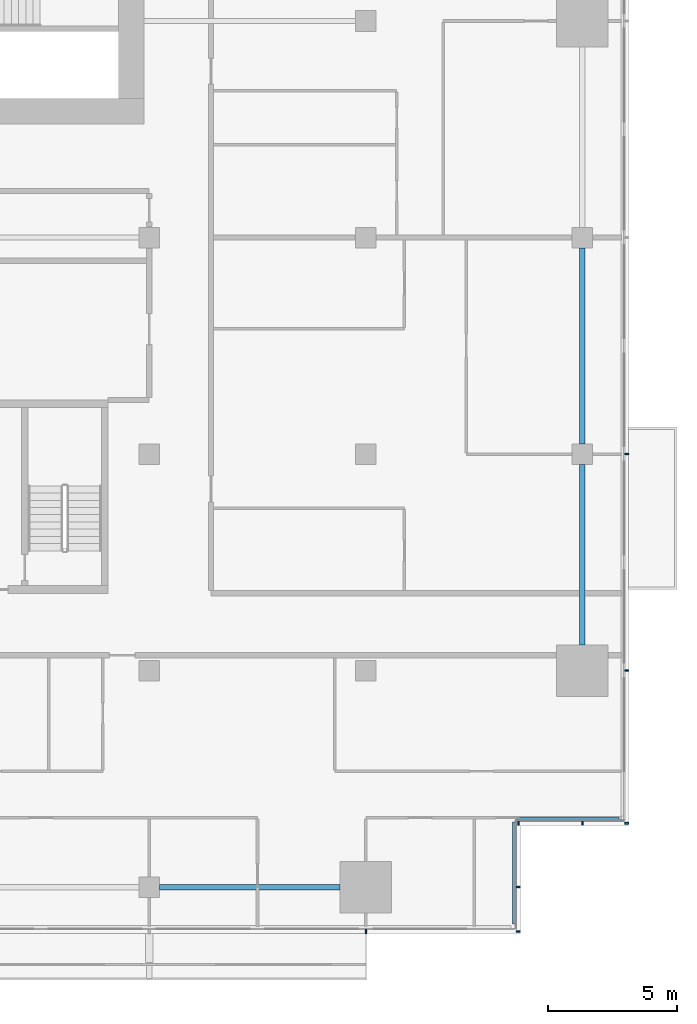
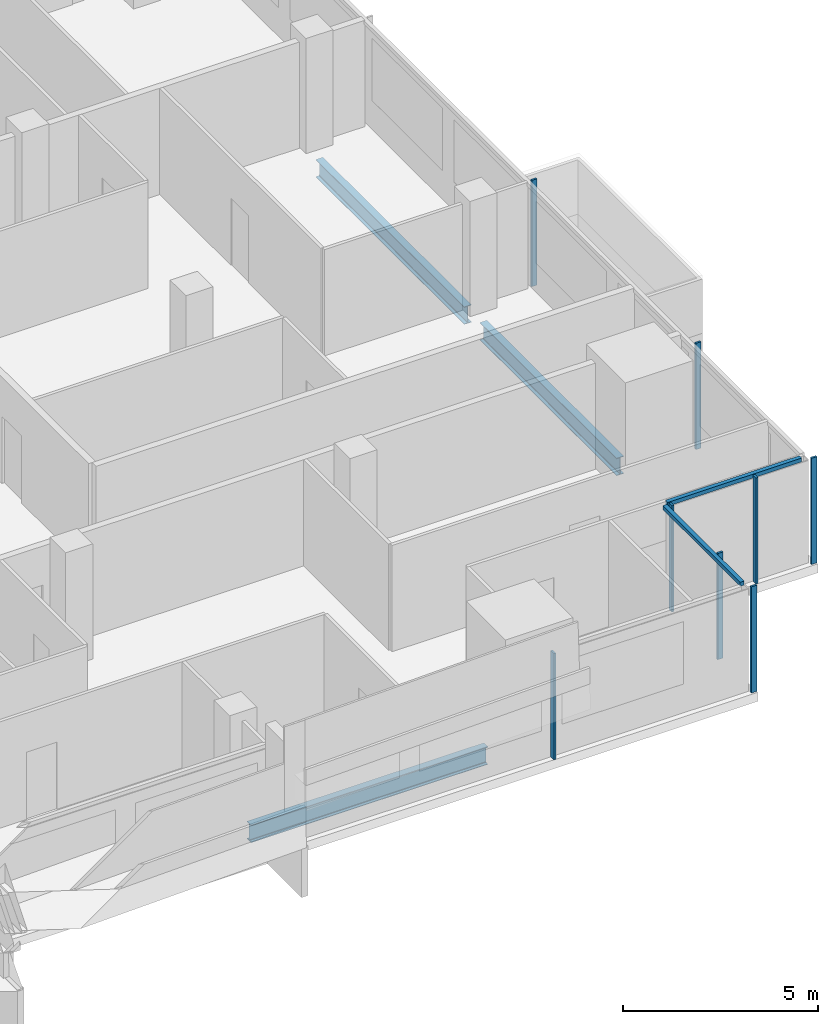
# One storey, part 11 of 27: 10 members, 3 beams, 4 elements without a shape of their own.
"""IFC4 building model written with IfcOpenShell, lengths in metres."""

import ifcopenshell
import ifcopenshell.guid

model = None  # the IFC model being written
_history = None  # IfcOwnerHistory: only IFC2X3 demands one
_inside = {}  # id of a spatial element -> (the spatial element, [elements in it])
_under = {}  # id of a project, library or spatial element -> (it, [spatial elements below it])
_declared = {}  # id of a project -> (the project, [libraries it declares])
_typed = {}  # id of a type object -> (the type object, [elements of that type])
_made_of = {}  # id of a material, layer set ... -> (it, [elements and type objects made of it])


def new_model(schema):
    """Start an empty IFC model of exactly this schema.

    Asked for "IFC4X3", IfcOpenShell would pick the latest addendum, in which some entities
    have other attributes; the version numbers below select the first issue.
    IFC2X3 requires an IfcOwnerHistory on every rooted entity: one is made here for all.
    """
    global model, _history
    if schema == "IFC4X3":
        model = ifcopenshell.file(schema_version=(4, 3, 0, 0))
    else:
        model = ifcopenshell.file(schema=schema)
    _inside.clear()
    _under.clear()
    _declared.clear()
    _typed.clear()
    _made_of.clear()
    _history = None
    if model.schema == "IFC2X3":
        org = make("IfcOrganization", Name="unknown")
        user = make(
            "IfcPersonAndOrganization",
            ThePerson=make("IfcPerson", FamilyName="unknown"),
            TheOrganization=org,
        )
        app = make(
            "IfcApplication",
            ApplicationDeveloper=org,
            Version="unknown",
            ApplicationFullName="unknown",
            ApplicationIdentifier="unknown",
        )
        _history = make(
            "IfcOwnerHistory",
            OwningUser=user,
            OwningApplication=app,
            ChangeAction="ADDED",
            CreationDate=0,
        )
    return model


def make(cls, **values):
    """One entity of the class cls with the attributes given. An attribute that is None is left unset."""
    return model.create_entity(
        cls, **{name: value for name, value in values.items() if value is not None}
    )


def rooted(cls, **values):
    """An entity with a GlobalId (a new one), such as an element, a storey or a relation."""
    return make(cls, GlobalId=ifcopenshell.guid.new(), OwnerHistory=_history, **values)


def si_unit(unit_type, name, prefix=None):
    """IfcSIUnit, for example si_unit("LENGTHUNIT", "METRE", prefix="MILLI")."""
    return make("IfcSIUnit", UnitType=unit_type, Prefix=prefix, Name=name)


def assignment(units):
    """IfcUnitAssignment: the units of a project."""
    return None if units is None else make("IfcUnitAssignment", Units=units)


def point(xyz):
    """IfcCartesianPoint."""
    return None if xyz is None else make("IfcCartesianPoint", Coordinates=xyz)


def direction(xyz):
    """IfcDirection."""
    return None if xyz is None else make("IfcDirection", DirectionRatios=xyz)


def frame(location, z_axis=None, x_axis=None):
    """IfcAxis2Placement3D, a coordinate frame: its origin and axes. An axis left out is left unset."""
    return make(
        "IfcAxis2Placement3D",
        Location=point(location),
        Axis=direction(z_axis),
        RefDirection=direction(x_axis),
    )


def frame_2d(location, x_axis=None):
    """IfcAxis2Placement2D, a coordinate frame in the plane: its origin and x axis."""
    return make(
        "IfcAxis2Placement2D", Location=point(location), RefDirection=direction(x_axis)
    )


def origin():
    """The frame at (0, 0, 0) with its axes left unset."""
    return frame((0.0, 0.0, 0.0))


def origin_2d():
    """The frame at (0, 0) in the plane with its x axis left unset."""
    return frame_2d((0.0, 0.0))


def place(relative_to, where):
    """IfcLocalPlacement: puts the frame where relative to a parent placement (None: the world)."""
    return make(
        "IfcLocalPlacement", PlacementRelTo=relative_to, RelativePlacement=where
    )


def context(
    kind, dimensions, precision=None, world=None, true_north=None, identifier=None
):
    """IfcGeometricRepresentationContext, for example the 3D "Model" context."""
    return make(
        "IfcGeometricRepresentationContext",
        ContextIdentifier=identifier,
        ContextType=kind,
        CoordinateSpaceDimension=dimensions,
        Precision=precision,
        WorldCoordinateSystem=world,
        TrueNorth=true_north,
    )


def subcontext(parent, identifier, kind, view, scale=None):
    """IfcGeometricRepresentationSubContext, for example "Body" below "Model"."""
    return make(
        "IfcGeometricRepresentationSubContext",
        ContextIdentifier=identifier,
        ContextType=kind,
        ParentContext=parent,
        TargetScale=scale,
        TargetView=view,
    )


def project(units=None, contexts=None):
    """IfcProject with its units and contexts."""
    return rooted(
        "IfcProject",
        Name="project",
        RepresentationContexts=contexts,
        UnitsInContext=assignment(units),
    )


def spatial(cls, under=None, at=None, **own):
    """A site, building, storey or space (cls), placed at a placement, below another one or the project."""
    s = rooted(cls, ObjectPlacement=at, **own)
    if under is not None:
        _under.setdefault(under.id(), (under, []))[1].append(s)
    return s


def profile(cls, at=None, kind="AREA", **sizes):
    """A parametric profile (cls). Its sizes go by their IFC names, for example OverallWidth=200.0."""
    return make(cls, ProfileType=kind, Position=at, **sizes)


def rectangle(**sizes):
    """IfcRectangleProfileDef."""
    return profile("IfcRectangleProfileDef", **sizes)


def i_section(**sizes):
    """IfcIShapeProfileDef."""
    return profile("IfcIShapeProfileDef", **sizes)


def extrude(swept, where, along, depth):
    """IfcExtrudedAreaSolid: the profile swept, set in the frame where, extruded along a direction by depth."""
    return make(
        "IfcExtrudedAreaSolid",
        SweptArea=swept,
        Position=where,
        ExtrudedDirection=direction(along),
        Depth=depth,
    )


def shape(context_of_items, identifier, shape_type, items):
    """IfcShapeRepresentation: the items that make up one representation, for example the "Body"."""
    return make(
        "IfcShapeRepresentation",
        ContextOfItems=context_of_items,
        RepresentationIdentifier=identifier,
        RepresentationType=shape_type,
        Items=items,
    )


def material(Name=None, Category=None):
    """IfcMaterial."""
    return make("IfcMaterial", Name=Name, Category=Category)


def material_profile(
    of_material, cross_section, Name=None, Category=None, Priority=None
):
    """IfcMaterialProfile: a cross section and its material."""
    return make(
        "IfcMaterialProfile",
        Name=Name,
        Material=of_material,
        Profile=cross_section,
        Priority=Priority,
        Category=Category,
    )


def profile_set(profiles, Name=None, composite=None):
    """IfcMaterialProfileSet."""
    return make(
        "IfcMaterialProfileSet",
        Name=Name,
        MaterialProfiles=profiles,
        CompositeProfile=composite,
    )


def made_of(thing, what):
    """Note that an element or type object is made of a material, layer set ...; save() writes the relation."""
    if what is not None:
        _made_of.setdefault(what.id(), (what, []))[1].append(thing)
    return thing


def type_object(cls, material=None, **own):
    """A type object (cls), such as IfcWallType, which elements share."""
    return made_of(rooted(cls, **own), material)


def element(
    cls,
    number,
    at=None,
    inside=None,
    cuts=None,
    type_object=None,
    material=None,
    context=None,
    identifier="Body",
    shape_type=None,
    held_by="IfcProductDefinitionShape",
    body=None,
    shapes=None,
    **own,
):
    """One element of the class cls, such as IfcWall. Its Tag is "e" and its number.

    at: its placement. inside: the storey or other place that contains it. cuts: it is an
    opening in that element (IfcRelVoidsElement). A single representation is given by context,
    identifier, shape_type and body (its items); several are given by shapes. held_by: the class
    of the entity that holds the representations. save() writes the other relations.
    """
    e = rooted(cls, Tag="e%d" % number, ObjectPlacement=at, **own)
    if body is not None:
        shapes = [shape(context, identifier, shape_type, body)]
    if shapes is not None:
        e.Representation = make(held_by, Representations=shapes)
    if inside is not None:
        _inside.setdefault(inside.id(), (inside, []))[1].append(e)
    if cuts is not None:
        rooted(
            "IfcRelVoidsElement", RelatingBuildingElement=cuts, RelatedOpeningElement=e
        )
    if type_object is not None:
        _typed.setdefault(type_object.id(), (type_object, []))[1].append(e)
    return made_of(e, material)


def aggregate(whole, parts):
    """IfcRelAggregates: a whole, such as a stair, and the parts it consists of."""
    return rooted("IfcRelAggregates", RelatingObject=whole, RelatedObjects=parts)


def save(model, path):
    """Write the relations noted so far, then the file.

    IfcRelAggregates (storeys below a building ...), IfcRelContainedInSpatialStructure (elements
    in a storey), IfcRelDefinesByType, IfcRelAssociatesMaterial and IfcRelDeclares: one each for
    every whole, place, type object, material and project.
    """
    for whole, parts in _under.values():
        aggregate(whole, parts)
    for where, things in _inside.values():
        rooted(
            "IfcRelContainedInSpatialStructure",
            RelatedElements=things,
            RelatingStructure=where,
        )
    for kind, things in _typed.values():
        rooted("IfcRelDefinesByType", RelatedObjects=things, RelatingType=kind)
    for what, things in _made_of.values():
        rooted("IfcRelAssociatesMaterial", RelatedObjects=things, RelatingMaterial=what)
    for by, libraries in _declared.values():
        rooted("IfcRelDeclares", RelatingContext=by, RelatedDefinitions=libraries)
    model.write(path)


model = new_model("IFC4")

# Units and contexts
model_context = context("Model", 3, precision=1e-05, world=origin(), true_north=direction((0.0, 1.0)))
body_context = subcontext(model_context, "Body", "Model", "MODEL_VIEW")
ifc_project = project(units=[si_unit("LENGTHUNIT", "METRE"), si_unit("AREAUNIT", "SQUARE_METRE"), si_unit("VOLUMEUNIT", "CUBIC_METRE"), si_unit("PLANEANGLEUNIT", "RADIAN"), si_unit("MASSUNIT", "GRAM", prefix="KILO")], contexts=[model_context])

# Site, building, storey
site_placement = place(None, origin())
site = spatial("IfcSite", under=ifc_project, at=site_placement, CompositionType="ELEMENT")
building_placement = place(site_placement, origin())
building = spatial("IfcBuilding", under=site, at=building_placement, Name="Saffron Gate Tower", CompositionType="ELEMENT")
storey_placement = place(building_placement, frame((0.0, 0.0, 124.050048828125)))
storey = spatial("IfcBuildingStorey", under=building, at=storey_placement, Name="L29", CompositionType="ELEMENT", Elevation=124.050048828125)

# Beams
ifc_material_1 = material(Name="Structural steel S355", Category="steel")
ifc_material_profile_1 = material_profile(ifc_material_1, i_section(OverallWidth=0.2099609375, OverallDepth=0.550048828125, WebThickness=0.010986328125, FlangeThickness=0.01708984375, FilletRadius=0.02392578125, at=origin_2d()))
ifc_profile_set_1 = profile_set([ifc_material_profile_1], Name="Structural steel S355")
beam_type = type_object("IfcBeamType", Name="B13 IPE 550", PredefinedType="SPANDREL", material=ifc_profile_set_1)
for number, where, z_axis, x_axis, name in (
    (1, (109.0, 31.800048828125, -0.554931640625), (1.0, 0.0, 0.0), (0.0, 1.0, 0.0), "B13 SPANDREL BEAM"),
    (2, (125.39990234375, 41.199951171875, -0.554931640625), (0.0, 1.0, 0.0), (-1.0, 0.0, 0.0), "B13 SPANDREL BEAM"),
):
    element("IfcBeam", number, at=place(storey_placement, frame(where, z_axis=z_axis, x_axis=x_axis)), inside=storey, type_object=beam_type, Name=name, PredefinedType="SPANDREL", context=body_context, shape_type="SweptSolid", body=[
        extrude(i_section(OverallWidth=0.2099609375, OverallDepth=0.550048828125, WebThickness=0.010986328125, FlangeThickness=0.01708984375, FilletRadius=0.02392578125, at=origin_2d()), origin(), (0.0, 0.0, 1.0), 7.0),
    ])
beam_placement = place(storey_placement, frame((125.39990234375, 49.0, -0.554931640625), z_axis=(0.0, 1.0, 0.0), x_axis=(-1.0, 0.0, 0.0)))
element("IfcBeam", 3, at=beam_placement, inside=storey, type_object=beam_type, Name="B13 SPANDREL BEAM", PredefinedType="SPANDREL", context=body_context, shape_type="SweptSolid", body=[
    extrude(i_section(OverallWidth=0.2099609375, OverallDepth=0.550048828125, WebThickness=0.010986328125, FlangeThickness=0.01708984375, FilletRadius=0.02392578125, at=origin_2d()), origin(), (0.0, 0.0, 1.0), 7.60009765625),
])

# Curtain wall, member
ifc_material_2 = material(Name="Aluminium, bronze anodised", Category="aluminium")
curtain_wall_type_1 = type_object("IfcCurtainWallType", Name="CWS1 curtain wall front facade", PredefinedType="NOTDEFINED", material=ifc_material_2)
curtain_wall_1_placement = place(storey_placement, origin())
curtain_wall_1 = element("IfcCurtainWall", 4, at=curtain_wall_1_placement, inside=storey, type_object=curtain_wall_type_1, Name="CWS1 run 1", PredefinedType="NOTDEFINED")
ifc_material_profile_2 = material_profile(ifc_material_2, rectangle(XDim=0.159912109375, YDim=0.06005859375, at=origin_2d()))
ifc_profile_set_2 = profile_set([ifc_material_profile_2], Name="Aluminium, bronze anodised")
member_type_1 = type_object("IfcMemberType", Name="CWS1 mullion 60x160", PredefinedType="MULLION", material=ifc_profile_set_2)
member_1_placement = place(storey_placement, frame((117.0, 30.080078125, 0.0), z_axis=(0.0, 0.0, 1.0), x_axis=(0.0, 1.0, 0.0)))
member_1 = element("IfcMember", 5, at=member_1_placement, type_object=member_type_1, Name="CWS1 mullion 9", PredefinedType="MULLION", context=body_context, shape_type="SweptSolid", body=[
    extrude(rectangle(XDim=0.159912109375, YDim=0.06005859375, at=origin_2d()), origin(), (0.0, 0.0, 1.0), 3.320068359375),
])
aggregate(curtain_wall_1, [member_1])

# Curtain wall, members
curtain_wall_type_2 = type_object("IfcCurtainWallType", Name="CWS2 curtain wall side facades", PredefinedType="NOTDEFINED", material=ifc_material_2)
curtain_wall_2_placement = place(storey_placement, origin())
curtain_wall_2 = element("IfcCurtainWall", 6, at=curtain_wall_2_placement, inside=storey, type_object=curtain_wall_type_2, Name="CWS2 run 4", PredefinedType="NOTDEFINED")
ifc_material_profile_3 = material_profile(ifc_material_2, rectangle(XDim=0.159912109375, YDim=0.06005859375, at=origin_2d()))
ifc_profile_set_3 = profile_set([ifc_material_profile_3], Name="Aluminium, bronze anodised")
member_type_2 = type_object("IfcMemberType", Name="CWS2 mullion 60x160", PredefinedType="MULLION", material=ifc_profile_set_3)
member_2_placement = place(storey_placement, frame((127.1201171875, 34.280029296875, 0.0), z_axis=(0.0, 0.0, 1.0), x_axis=(-1.0, 0.0, 0.0)))
member_2 = element("IfcMember", 7, at=member_2_placement, type_object=member_type_2, Name="CWS2 mullion 1", PredefinedType="MULLION", context=body_context, shape_type="SweptSolid", body=[
    extrude(rectangle(XDim=0.159912109375, YDim=0.06005859375, at=origin_2d()), origin(), (0.0, 0.0, 1.0), 3.320068359375),
])
member_3_placement = place(storey_placement, frame((127.1201171875, 40.199951171875, 0.0), z_axis=(0.0, 0.0, 1.0), x_axis=(-1.0, 0.0, 0.0)))
member_3 = element("IfcMember", 8, at=member_3_placement, type_object=member_type_2, Name="CWS2 mullion 2", PredefinedType="MULLION", context=body_context, shape_type="SweptSolid", body=[
    extrude(rectangle(XDim=0.159912109375, YDim=0.06005859375, at=origin_2d()), origin(), (0.0, 0.0, 1.0), 3.320068359375),
])
member_4_placement = place(storey_placement, frame((127.1201171875, 48.60009765625, 0.0), z_axis=(0.0, 0.0, 1.0), x_axis=(-1.0, 0.0, 0.0)))
member_4 = element("IfcMember", 9, at=member_4_placement, type_object=member_type_2, Name="CWS2 mullion 3", PredefinedType="MULLION", context=body_context, shape_type="SweptSolid", body=[
    extrude(rectangle(XDim=0.159912109375, YDim=0.06005859375, at=origin_2d()), origin(), (0.0, 0.0, 1.0), 3.320068359375),
])
aggregate(curtain_wall_2, [member_2, member_3, member_4])

# Curtain wall, member
curtain_wall_type_3 = type_object("IfcCurtainWallType", Name="CWS4 curtain wall corner returns", PredefinedType="NOTDEFINED", material=ifc_material_2)
curtain_wall_3_placement = place(storey_placement, origin())
curtain_wall_3 = element("IfcCurtainWall", 10, at=curtain_wall_3_placement, inside=storey, type_object=curtain_wall_type_3, Name="CWS4 run 2", PredefinedType="NOTDEFINED")
ifc_material_profile_4 = material_profile(ifc_material_2, rectangle(XDim=0.1201171875, YDim=0.1201171875, at=origin_2d()))
ifc_profile_set_4 = profile_set([ifc_material_profile_4], Name="Aluminium, bronze anodised")
member_type_3 = type_object("IfcMemberType", Name="CWS4 head transom", PredefinedType="USERDEFINED", material=ifc_profile_set_4)
member_5_placement = place(storey_placement, frame((122.751953125, 30.367919921875, 3.260009765625), z_axis=(0.0, 1.0, 0.0), x_axis=(-1.0, 0.0, 0.0)))
member_5 = element("IfcMember", 11, at=member_5_placement, type_object=member_type_3, Name="CWS4 head transom", ObjectType="TRANSOM", PredefinedType="USERDEFINED", context=body_context, shape_type="SweptSolid", body=[
    extrude(rectangle(XDim=0.1201171875, YDim=0.1201171875, at=origin_2d()), origin(), (0.0, 0.0, 1.0), 3.9599609375),
])

curtain_wall_4_placement = place(storey_placement, origin())
curtain_wall_4 = element("IfcCurtainWall", 12, at=curtain_wall_4_placement, inside=storey, type_object=curtain_wall_type_3, Name="CWS4 run 3", PredefinedType="NOTDEFINED")
member_6_placement = place(storey_placement, frame((122.8720703125, 34.447998046875, 3.260009765625), z_axis=(1.0, 0.0, 0.0), x_axis=(0.0, 1.0, 0.0)))
member_6 = element("IfcMember", 13, at=member_6_placement, type_object=member_type_3, Name="CWS4 head transom", ObjectType="TRANSOM", PredefinedType="USERDEFINED", context=body_context, shape_type="SweptSolid", body=[
    extrude(rectangle(XDim=0.1201171875, YDim=0.1201171875, at=origin_2d()), origin(), (0.0, 0.0, 1.0), 3.9599609375),
])

# Member
ifc_material_profile_5 = material_profile(ifc_material_2, rectangle(XDim=0.159912109375, YDim=0.06005859375, at=origin_2d()))
ifc_profile_set_5 = profile_set([ifc_material_profile_5], Name="Aluminium, bronze anodised")
member_type_4 = type_object("IfcMemberType", Name="CWS4 mullion 60x160", PredefinedType="MULLION", material=ifc_profile_set_5)
member_7_placement = place(storey_placement, frame((122.919921875, 30.080078125, 0.0), z_axis=(0.0, 0.0, 1.0), x_axis=(-1.0, 0.0, 0.0)))
member_7 = element("IfcMember", 14, at=member_7_placement, type_object=member_type_4, Name="CWS4 mullion 1", PredefinedType="MULLION", context=body_context, shape_type="SweptSolid", body=[
    extrude(rectangle(XDim=0.159912109375, YDim=0.06005859375, at=origin_2d()), origin(), (0.0, 0.0, 1.0), 3.320068359375),
])

member_8_placement = place(storey_placement, frame((122.919921875, 31.800048828125, 0.0), z_axis=(0.0, 0.0, 1.0), x_axis=(-1.0, 0.0, 0.0)))
member_8 = element("IfcMember", 15, at=member_8_placement, type_object=member_type_4, Name="CWS4 mullion 2", PredefinedType="MULLION", context=body_context, shape_type="SweptSolid", body=[
    extrude(rectangle(XDim=0.159912109375, YDim=0.06005859375, at=origin_2d()), origin(), (0.0, 0.0, 1.0), 3.320068359375),
])

aggregate(curtain_wall_3, [member_7, member_8, member_5])

member_9_placement = place(storey_placement, frame((122.919921875, 34.280029296875, 0.0), z_axis=(0.0, 0.0, 1.0), x_axis=(0.0, 1.0, 0.0)))
member_9 = element("IfcMember", 16, at=member_9_placement, type_object=member_type_4, Name="CWS4 mullion 1", PredefinedType="MULLION", context=body_context, shape_type="SweptSolid", body=[
    extrude(rectangle(XDim=0.159912109375, YDim=0.06005859375, at=origin_2d()), origin(), (0.0, 0.0, 1.0), 3.320068359375),
])

member_10_placement = place(storey_placement, frame((125.39990234375, 34.280029296875, 0.0), z_axis=(0.0, 0.0, 1.0), x_axis=(0.0, 1.0, 0.0)))
member_10 = element("IfcMember", 17, at=member_10_placement, type_object=member_type_4, Name="CWS4 mullion 2", PredefinedType="MULLION", context=body_context, shape_type="SweptSolid", body=[
    extrude(rectangle(XDim=0.159912109375, YDim=0.06005859375, at=origin_2d()), origin(), (0.0, 0.0, 1.0), 3.320068359375),
])

aggregate(curtain_wall_4, [member_9, member_10, member_6])

save(model, "model.ifc")
